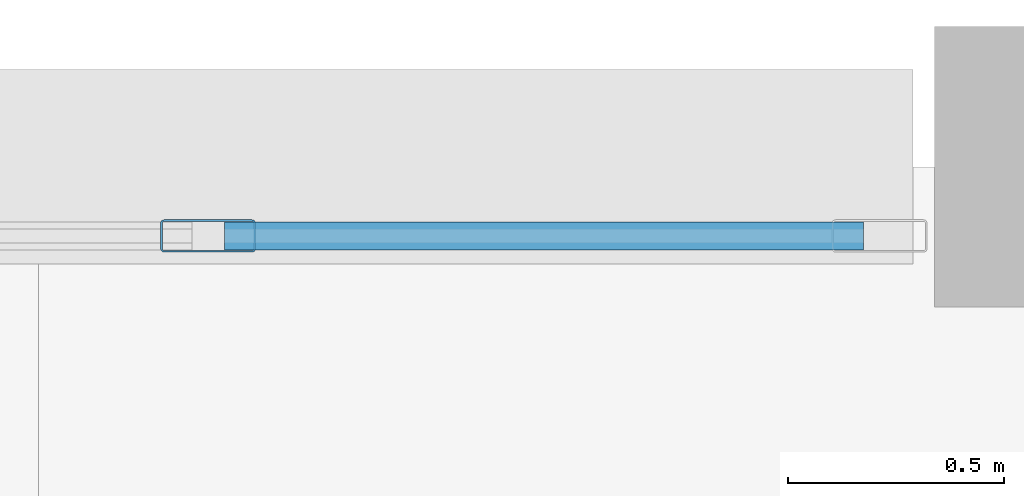
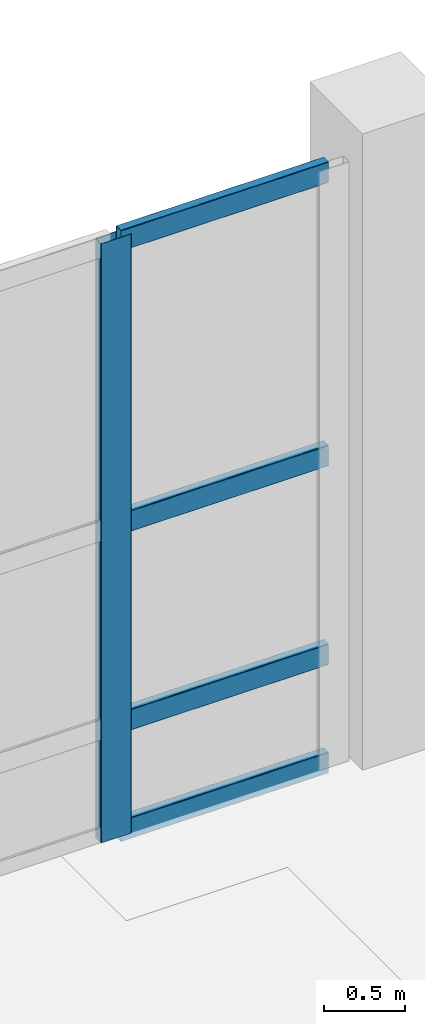
# One storey, part 25 of 127: 5 members, 1 element without a shape of its own.
"""IFC4 building model written with IfcOpenShell, lengths in metres."""

from ifc_helpers import new_model, si_unit, direction, frame, origin, origin_2d, place, context, subcontext, project, spatial, hollow_rectangle, extrude, material, material_profile, profile_set, type_object, element, aggregate, save


model = new_model("IFC4")

# Units and contexts
model_context = context("Model", 3, precision=1e-05, world=origin(), true_north=direction((0.0, 1.0)))
body_context = subcontext(model_context, "Body", "Model", "MODEL_VIEW")
ifc_project = project(units=[si_unit("LENGTHUNIT", "METRE"), si_unit("AREAUNIT", "SQUARE_METRE"), si_unit("VOLUMEUNIT", "CUBIC_METRE"), si_unit("PLANEANGLEUNIT", "RADIAN"), si_unit("MASSUNIT", "GRAM", prefix="KILO")], contexts=[model_context])

# Site, building, storey
site_placement = place(None, origin())
site = spatial("IfcSite", under=ifc_project, at=site_placement, CompositionType="ELEMENT")
building_placement = place(site_placement, origin())
building = spatial("IfcBuilding", under=site, at=building_placement, Name="Kalmorath City Hall", CompositionType="ELEMENT")
storey_placement = place(building_placement, frame((0.0, 0.0, 5.39990234375)))
storey = spatial("IfcBuildingStorey", under=building, at=storey_placement, Name="L01", CompositionType="ELEMENT", Elevation=5.39990234375)

# Curtain wall, members
ifc_material_1 = material(Name="Anodised aluminium and laminated glass", Category="aluminium")
curtain_wall_type = type_object("IfcCurtainWallType", Name="Unitised hurricane curtain wall 6370x4520 M1800", PredefinedType="NOTDEFINED", material=ifc_material_1)
curtain_wall_placement = place(storey_placement, origin())
curtain_wall = element("IfcCurtainWall", 1, at=curtain_wall_placement, inside=storey, type_object=curtain_wall_type, Name="L01 curtain wall CW-64X45M18 #85", PredefinedType="NOTDEFINED")
ifc_material_2 = material(Name="Anodised aluminium framing", Category="aluminium")
ifc_material_profile_1 = material_profile(ifc_material_2, hollow_rectangle(XDim=0.074951171875, YDim=0.219970703125, WallThickness=0.00390625, InnerFilletRadius=0.00390625, OuterFilletRadius=0.008056640625, at=origin_2d()), Name="ALU-MUL-220X75X4")
ifc_profile_set_1 = profile_set([ifc_material_profile_1], Name="Anodised aluminium framing")
member_type_1 = type_object("IfcMemberType", Name="Curtain-wall primary mullion 220x75", PredefinedType="MULLION", material=ifc_profile_set_1)
member_1_placement = place(storey_placement, frame((62.79248046875, 43.0400390625, 0.0), z_axis=(0.0, 0.0, 1.0), x_axis=(0.0, 1.0, 0.0)))
member_1 = element("IfcMember", 2, at=member_1_placement, type_object=member_type_1, Name="CW-64X45M18 mullion 4", PredefinedType="MULLION", context=body_context, shape_type="SweptSolid", body=[
    extrude(hollow_rectangle(XDim=0.074951171875, YDim=0.219970703125, WallThickness=0.00390625, InnerFilletRadius=0.00390625, OuterFilletRadius=0.008056640625, at=origin_2d()), origin(), (0.0, 0.0, 1.0), 4.52001953125),
])
ifc_material_3 = material(Name="Anodised aluminium framing", Category="aluminium")
ifc_material_profile_2 = material_profile(ifc_material_3, hollow_rectangle(XDim=0.06494140625, YDim=0.159912109375, WallThickness=0.00390625, InnerFilletRadius=0.00390625, OuterFilletRadius=0.008056640625, at=origin_2d()), Name="ALU-TRN-160X65X4")
ifc_profile_set_2 = profile_set([ifc_material_profile_2], Name="Anodised aluminium framing")
member_type_2 = type_object("IfcMemberType", Name="Curtain-wall primary transom 160x65", PredefinedType="USERDEFINED", material=ifc_profile_set_2)
member_2_placement = place(storey_placement, frame((62.830078125, 43.0400390625, 0.03271484375), z_axis=(1.0, 0.0, 0.0), x_axis=(0.0, 1.0, 0.0)))
member_2 = element("IfcMember", 3, at=member_2_placement, type_object=member_type_2, Name="CW-64X45M18 transom 4.1", ObjectType="TRANSOM", PredefinedType="USERDEFINED", context=body_context, shape_type="SweptSolid", body=[
    extrude(hollow_rectangle(XDim=0.06494140625, YDim=0.159912109375, WallThickness=0.00390625, InnerFilletRadius=0.00390625, OuterFilletRadius=0.008056640625, at=origin_2d()), origin(), (0.0, 0.0, 1.0), 1.47998046875),
])
member_3_placement = place(storey_placement, frame((62.830078125, 43.0400390625, 0.85009765625), z_axis=(1.0, 0.0, 0.0), x_axis=(0.0, 1.0, 0.0)))
member_3 = element("IfcMember", 4, at=member_3_placement, type_object=member_type_2, Name="CW-64X45M18 transom 4.2", ObjectType="TRANSOM", PredefinedType="USERDEFINED", context=body_context, shape_type="SweptSolid", body=[
    extrude(hollow_rectangle(XDim=0.06494140625, YDim=0.159912109375, WallThickness=0.00390625, InnerFilletRadius=0.00390625, OuterFilletRadius=0.008056640625, at=origin_2d()), origin(), (0.0, 0.0, 1.0), 1.47998046875),
])
member_4_placement = place(storey_placement, frame((62.830078125, 43.0400390625, 2.35009765625), z_axis=(1.0, 0.0, 0.0), x_axis=(0.0, 1.0, 0.0)))
member_4 = element("IfcMember", 5, at=member_4_placement, type_object=member_type_2, Name="CW-64X45M18 transom 4.3", ObjectType="TRANSOM", PredefinedType="USERDEFINED", context=body_context, shape_type="SweptSolid", body=[
    extrude(hollow_rectangle(XDim=0.06494140625, YDim=0.159912109375, WallThickness=0.00390625, InnerFilletRadius=0.00390625, OuterFilletRadius=0.008056640625, at=origin_2d()), origin(), (0.0, 0.0, 1.0), 1.47998046875),
])
member_5_placement = place(storey_placement, frame((62.830078125, 43.0400390625, 4.487548828125), z_axis=(1.0, 0.0, 0.0), x_axis=(0.0, 1.0, 0.0)))
member_5 = element("IfcMember", 6, at=member_5_placement, type_object=member_type_2, Name="CW-64X45M18 transom 4.4", ObjectType="TRANSOM", PredefinedType="USERDEFINED", context=body_context, shape_type="SweptSolid", body=[
    extrude(hollow_rectangle(XDim=0.06494140625, YDim=0.159912109375, WallThickness=0.00390625, InnerFilletRadius=0.00390625, OuterFilletRadius=0.008056640625, at=origin_2d()), origin(), (0.0, 0.0, 1.0), 1.47998046875),
])
aggregate(curtain_wall, [member_1, member_2, member_3, member_4, member_5])

save(model, "model.ifc")
